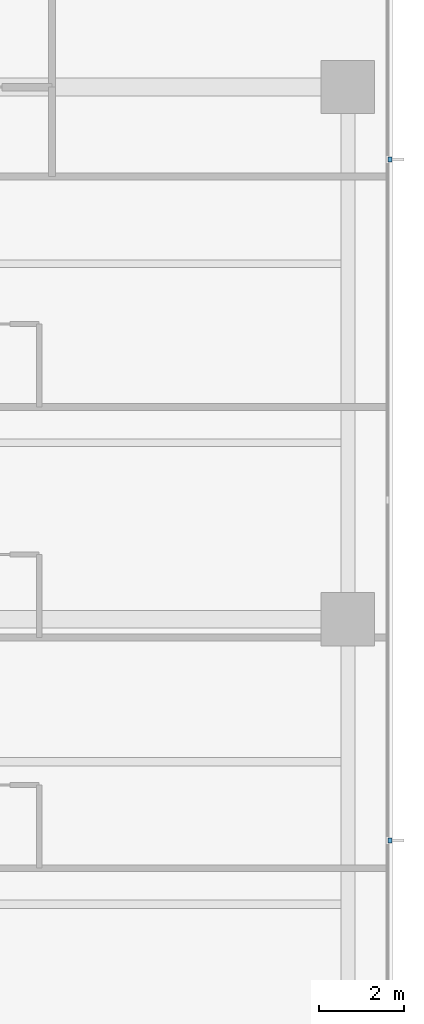
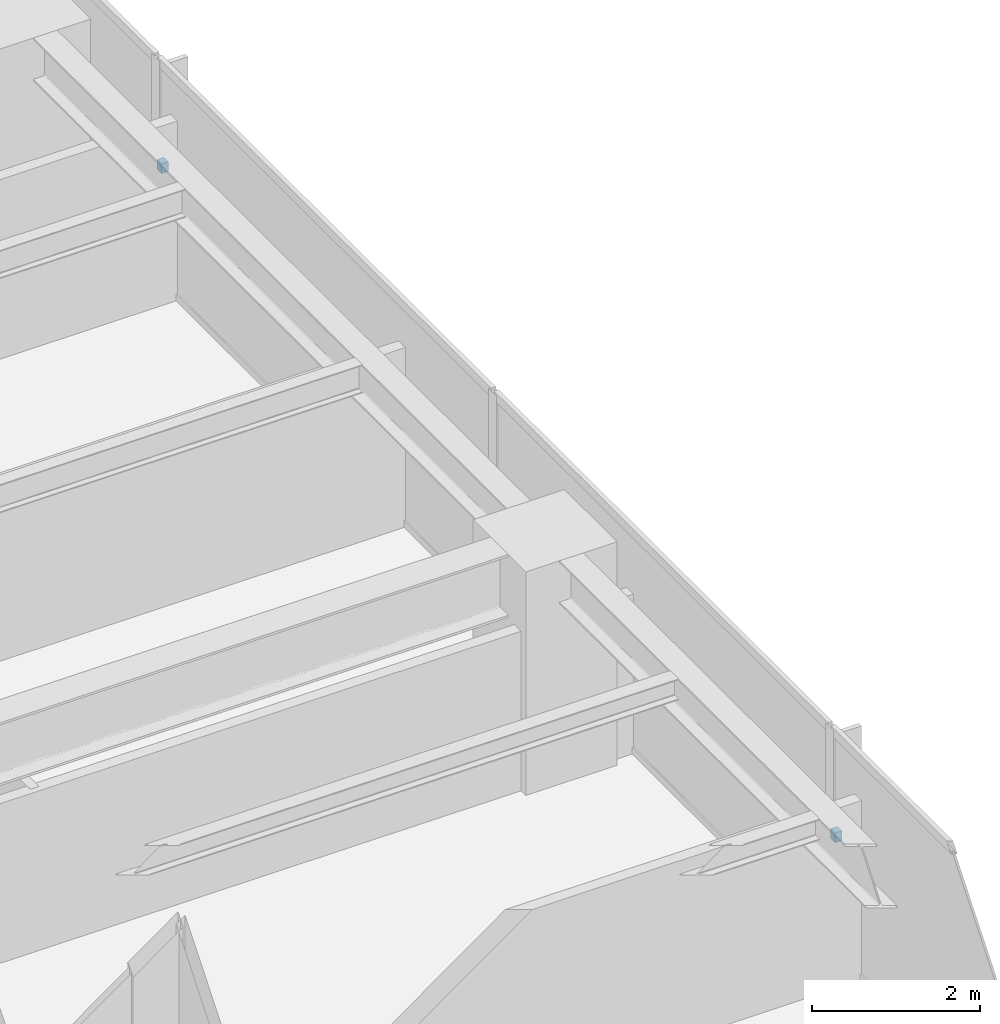
# One storey, part 14 of 17: 2 discrete accessories.
"""IFC4 building model written with IfcOpenShell, lengths in metres."""

from ifc_helpers import new_model, si_unit, direction, frame, origin, place, context, subcontext, project, spatial, polyline, outline, extrude, material, type_object, element, save


model = new_model("IFC4")

# Units and contexts
model_context = context("Model", 3, precision=1e-05, world=origin(), true_north=direction((0.0, 1.0)))
body_context = subcontext(model_context, "Body", "Model", "MODEL_VIEW")
ifc_project = project(units=[si_unit("LENGTHUNIT", "METRE"), si_unit("AREAUNIT", "SQUARE_METRE"), si_unit("VOLUMEUNIT", "CUBIC_METRE"), si_unit("PLANEANGLEUNIT", "RADIAN"), si_unit("MASSUNIT", "GRAM", prefix="KILO")], contexts=[model_context])

# Site, building, storey
site_placement = place(None, origin())
site = spatial("IfcSite", under=ifc_project, at=site_placement, CompositionType="ELEMENT")
building_placement = place(site_placement, origin())
building = spatial("IfcBuilding", under=site, at=building_placement, Name="Qalmaran Belvedere Hotel", CompositionType="ELEMENT")
storey_placement = place(building_placement, frame((0.0, 0.0, 102.199951171875)))
storey = spatial("IfcBuildingStorey", under=building, at=storey_placement, Name="L25", CompositionType="ELEMENT", Elevation=102.199951171875)

# Discrete accessories
ifc_material = material(Name="Stainless Steel 1.4401", Category="steel")
discrete_accessory_type = type_object("IfcDiscreteAccessoryType", Name="BRK-FIN-SS316", PredefinedType="BRACKET", material=ifc_material)
discrete_accessory_1_placement = place(storey_placement, frame((0.0, 0.0, 1.570068359375)))
element("IfcDiscreteAccessory", 1, at=discrete_accessory_1_placement, inside=storey, type_object=discrete_accessory_type, Name="L25 Fin Bracket 1", PredefinedType="BRACKET", context=body_context, shape_type="SweptSolid", body=[
    extrude(outline(polyline([(58.89501953125, 15.2451171875), (58.989990234375, 15.2451171875), (58.989990234375, 15.35498046875), (58.89501953125, 15.35498046875), (58.89501953125, 15.2451171875)])), origin(), (0.0, 0.0, 1.0), 0.139892578125),
])
discrete_accessory_2_placement = place(storey_placement, frame((0.0, 0.0, 1.570068359375)))
element("IfcDiscreteAccessory", 2, at=discrete_accessory_2_placement, inside=storey, type_object=discrete_accessory_type, Name="L25 Fin Bracket 3", PredefinedType="BRACKET", context=body_context, shape_type="SweptSolid", body=[
    extrude(outline(polyline([(58.89501953125, 31.2451171875), (58.989990234375, 31.2451171875), (58.989990234375, 31.35498046875), (58.89501953125, 31.35498046875), (58.89501953125, 31.2451171875)])), origin(), (0.0, 0.0, 1.0), 0.139892578125),
])

save(model, "model.ifc")
